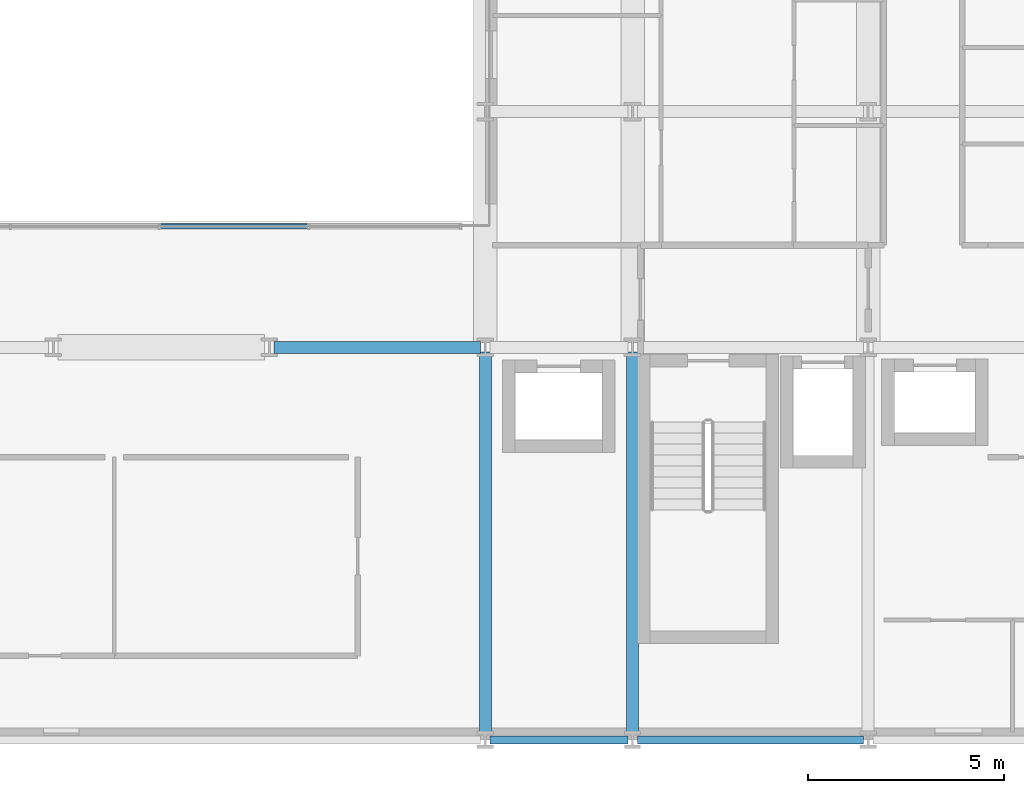
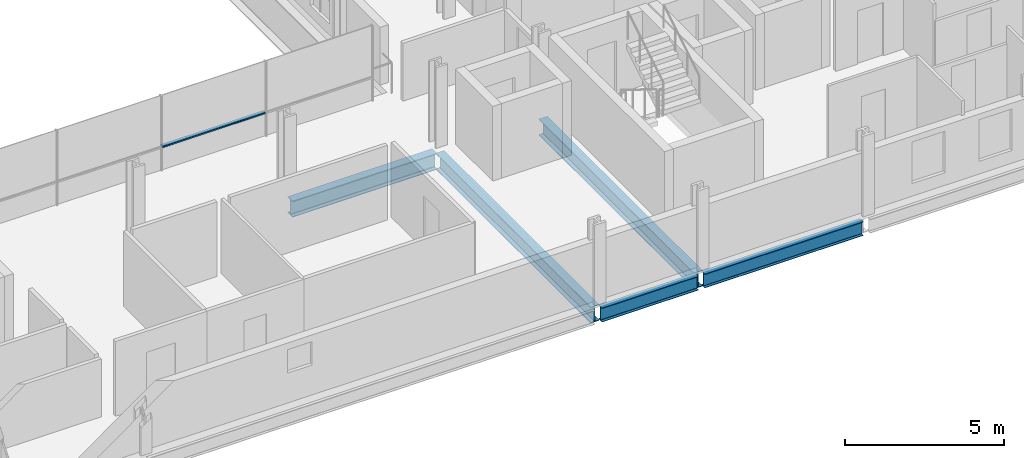
# One storey, part 12 of 38: 5 beams, 1 member, 1 element without a shape of its own.
"""IFC4 building model written with IfcOpenShell, lengths in metres."""

from ifc_helpers import new_model, si_unit, direction, frame, origin, origin_2d, place, context, subcontext, project, spatial, hollow_rectangle, i_section, extrude, material, layer, layer_set, material_profile, profile_set, type_object, element, aggregate, save


model = new_model("IFC4")

# Units and contexts
model_context = context("Model", 3, precision=1e-05, world=origin(), true_north=direction((0.0, 1.0)))
body_context = subcontext(model_context, "Body", "Model", "MODEL_VIEW")
ifc_project = project(units=[si_unit("LENGTHUNIT", "METRE"), si_unit("AREAUNIT", "SQUARE_METRE"), si_unit("VOLUMEUNIT", "CUBIC_METRE"), si_unit("PLANEANGLEUNIT", "RADIAN"), si_unit("MASSUNIT", "GRAM", prefix="KILO")], contexts=[model_context])

# Site, building, storey
site_placement = place(None, origin())
site = spatial("IfcSite", under=ifc_project, at=site_placement, CompositionType="ELEMENT")
building_placement = place(site_placement, origin())
building = spatial("IfcBuilding", under=site, at=building_placement, Name="Brevholm Reach", CompositionType="ELEMENT")
storey_placement = place(building_placement, frame((0.0, 0.0, 28.0)))
storey = spatial("IfcBuildingStorey", under=building, at=storey_placement, Name="L06", CompositionType="ELEMENT", Elevation=28.0)

# Beams
ifc_material_1 = material(Name="Structural Steel S355J2", Category="steel")
ifc_material_profile_1 = material_profile(ifc_material_1, i_section(OverallWidth=0.210693359375, OverallDepth=0.53955078125, WebThickness=0.01171875, FlangeThickness=0.018798828125, FilletRadius=0.0126953125, at=origin_2d()), Name="UKB 533x210x109")
ifc_profile_set_1 = profile_set([ifc_material_profile_1], Name="Structural Steel S355J2")
beam_type_1 = type_object("IfcBeamType", Name="BM-SP539", PredefinedType="SPANDREL", material=ifc_profile_set_1)
beam_1_placement = place(storey_placement, frame((38.3701171875, 0.0, -0.539794921875), z_axis=(1.0, 0.0, 0.0), x_axis=(0.0, 1.0, 0.0)))
element("IfcBeam", 1, at=beam_1_placement, inside=storey, type_object=beam_type_1, Name="L06 SP-01B Framing Beam", PredefinedType="SPANDREL", context=body_context, shape_type="SweptSolid", body=[
    extrude(i_section(OverallWidth=0.210693359375, OverallDepth=0.53955078125, WebThickness=0.01171875, FlangeThickness=0.018798828125, FilletRadius=0.0126953125, at=origin_2d()), origin(), (0.0, 0.0, 1.0), 3.509765625),
])
beam_2_placement = place(storey_placement, frame((42.1201171875, 0.0, -0.539794921875), z_axis=(1.0, 0.0, 0.0), x_axis=(0.0, 1.0, 0.0)))
element("IfcBeam", 2, at=beam_2_placement, inside=storey, type_object=beam_type_1, Name="L06 SP-01B Framing Beam", PredefinedType="SPANDREL", context=body_context, shape_type="SweptSolid", body=[
    extrude(i_section(OverallWidth=0.210693359375, OverallDepth=0.53955078125, WebThickness=0.01171875, FlangeThickness=0.018798828125, FilletRadius=0.0126953125, at=origin_2d()), origin(), (0.0, 0.0, 1.0), 5.759765625),
])
ifc_material_2 = material(Name="Structural Steel S355J2", Category="steel")
ifc_material_profile_2 = material_profile(ifc_material_2, i_section(OverallWidth=0.30712890625, OverallDepth=0.6201171875, WebThickness=0.01416015625, FlangeThickness=0.023681640625, FilletRadius=0.0166015625, at=origin_2d()), Name="UKB 610x305x179")
ifc_profile_set_2 = profile_set([ifc_material_profile_2], Name="Structural Steel S355J2")
beam_type_2 = type_object("IfcBeamType", Name="BM-UKB610H", PredefinedType="USERDEFINED", material=ifc_profile_set_2)
beam_3_placement = place(storey_placement, frame((32.8701171875, 10.0, -0.580078125), z_axis=(1.0, 0.0, 0.0), x_axis=(0.0, 1.0, 0.0)))
element("IfcBeam", 3, at=beam_3_placement, inside=storey, type_object=beam_type_2, Name="L06 G-06 Framing Beam", ObjectType="GIRDER", PredefinedType="USERDEFINED", context=body_context, shape_type="SweptSolid", body=[
    extrude(i_section(OverallWidth=0.30712890625, OverallDepth=0.6201171875, WebThickness=0.01416015625, FlangeThickness=0.023681640625, FilletRadius=0.0166015625, at=origin_2d()), origin(), (0.0, 0.0, 1.0), 5.259765625),
])
for number, where, z_axis, x_axis, name in (
    (4, (38.25, 0.1201171875, -0.580078125), (0.0, 1.0, 0.0), (-1.0, 0.0, 0.0), "L06 G-06 Framing Beam"),
    (5, (42.0, 0.1201171875, -0.580078125), (0.0, 1.0, 0.0), (-1.0, 0.0, 0.0), "L06 G-06 Framing Beam"),
):
    element("IfcBeam", number, at=place(storey_placement, frame(where, z_axis=z_axis, x_axis=x_axis)), inside=storey, type_object=beam_type_2, Name=name, ObjectType="GIRDER", PredefinedType="USERDEFINED", context=body_context, shape_type="SweptSolid", body=[
        extrude(i_section(OverallWidth=0.30712890625, OverallDepth=0.6201171875, WebThickness=0.01416015625, FlangeThickness=0.023681640625, FilletRadius=0.0166015625, at=origin_2d()), origin(), (0.0, 0.0, 1.0), 9.759765625),
    ])

# Curtain wall, member
ifc_material_3 = material(Name="Dark Anodised Aluminium 6063-T6 and Solar-Control Glass", Category="aluminium")
ifc_layer = layer(ifc_material_3, 0.139892578125)
ifc_layer_set = layer_set([ifc_layer], Name="Dark Anodised Aluminium 6063-T6 and Solar-Control Glass")
curtain_wall_type = type_object("IfcCurtainWallType", Name="CW-02", PredefinedType="NOTDEFINED", material=ifc_layer_set)
curtain_wall_placement = place(storey_placement, origin())
curtain_wall = element("IfcCurtainWall", 6, at=curtain_wall_placement, inside=storey, type_object=curtain_wall_type, Name="L06 Curtain Wall CW-02", PredefinedType="NOTDEFINED")
ifc_material_4 = material(Name="Dark Anodised Aluminium 6063-T6", Category="aluminium")
ifc_material_profile_3 = material_profile(ifc_material_4, hollow_rectangle(XDim=0.06005859375, YDim=0.139892578125, WallThickness=0.0048828125, InnerFilletRadius=0.0048828125, OuterFilletRadius=0.010009765625, at=origin_2d()), Name="RHS 140x60x5")
ifc_profile_set_3 = profile_set([ifc_material_profile_3], Name="Dark Anodised Aluminium 6063-T6")
member_type = type_object("IfcMemberType", Name="CWT-140", PredefinedType="NOTDEFINED", material=ifc_profile_set_3)
member_placement = place(storey_placement, frame((29.97998046875, 13.080078125, 0.89990234375), z_axis=(1.0, 0.0, 0.0), x_axis=(0.0, 0.0, 1.0)))
member = element("IfcMember", 7, at=member_placement, type_object=member_type, Name="CT-140 Transom 3.1", ObjectType="TRANSOM", PredefinedType="USERDEFINED", context=body_context, shape_type="SweptSolid", body=[
    extrude(hollow_rectangle(XDim=0.06005859375, YDim=0.139892578125, WallThickness=0.0048828125, InnerFilletRadius=0.0048828125, OuterFilletRadius=0.010009765625, at=origin_2d()), origin(), (0.0, 0.0, 1.0), 3.739990234375),
])
aggregate(curtain_wall, [member])

save(model, "model.ifc")
